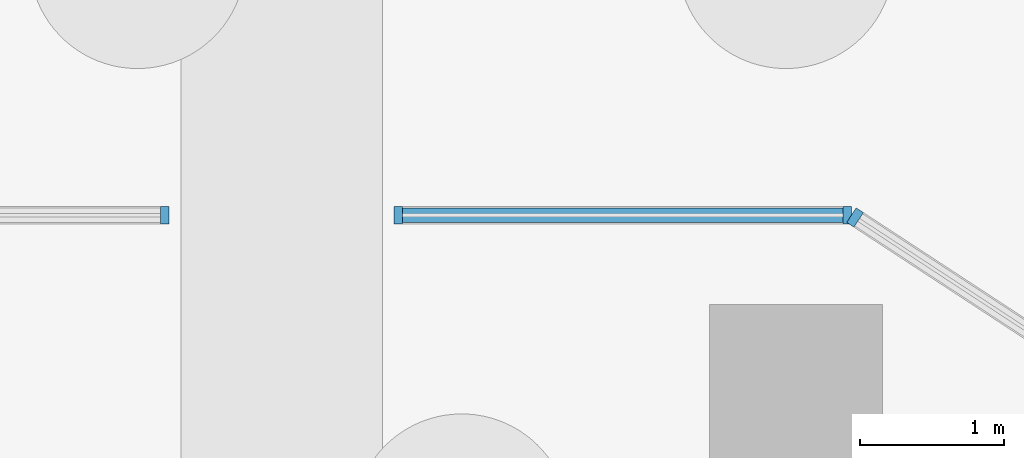
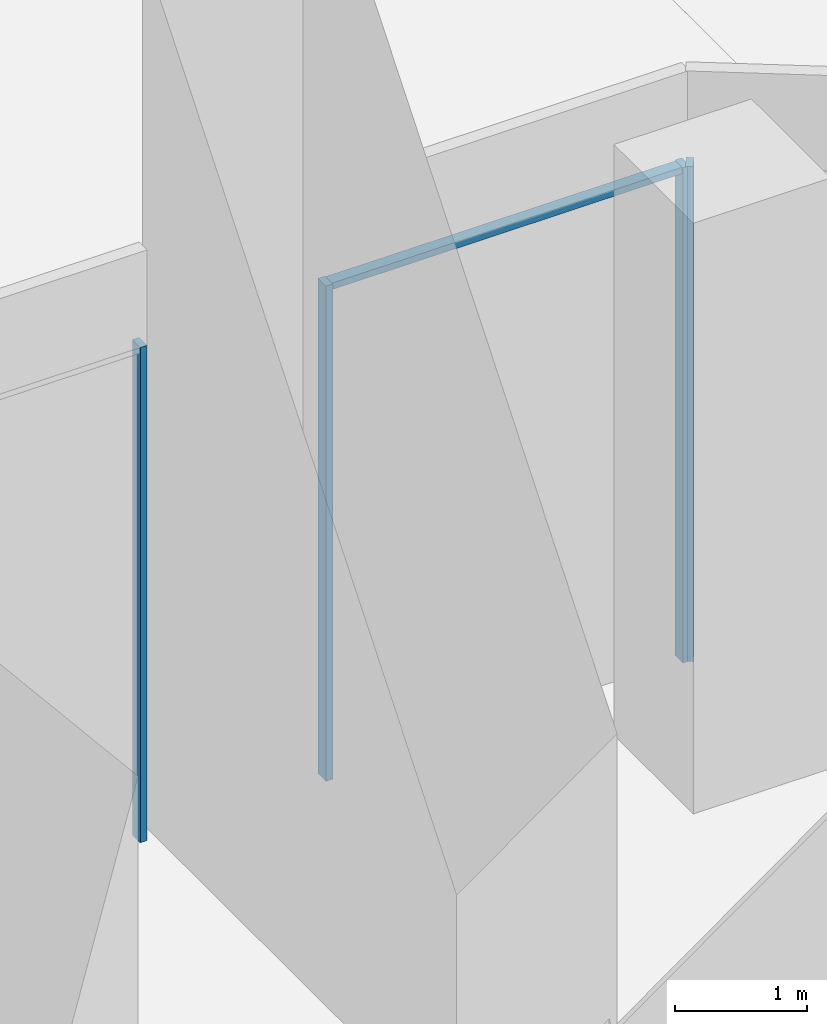
# One storey, part 25 of 46: 5 members, 3 elements without a shape of their own.
"""IFC4 building model written with IfcOpenShell, lengths in metres."""

from ifc_helpers import new_model, si_unit, direction, frame, origin, origin_2d, place, context, subcontext, project, spatial, rectangle, extrude, material, material_profile, profile_set, type_object, element, aggregate, save


model = new_model("IFC4")

# Units and contexts
model_context = context("Model", 3, precision=1e-05, world=origin(), true_north=direction((0.0, 1.0)))
body_context = subcontext(model_context, "Body", "Model", "MODEL_VIEW")
ifc_project = project(units=[si_unit("LENGTHUNIT", "METRE"), si_unit("AREAUNIT", "SQUARE_METRE"), si_unit("VOLUMEUNIT", "CUBIC_METRE"), si_unit("PLANEANGLEUNIT", "RADIAN"), si_unit("MASSUNIT", "GRAM", prefix="KILO")], contexts=[model_context])

# Site, building, storey
site_placement = place(None, origin())
site = spatial("IfcSite", under=ifc_project, at=site_placement, CompositionType="ELEMENT")
building_placement = place(site_placement, origin())
building = spatial("IfcBuilding", under=site, at=building_placement, Name="Mangrove Gate Tower", CompositionType="ELEMENT")
storey_placement = place(building_placement, origin())
storey = spatial("IfcBuildingStorey", under=building, at=storey_placement, Name="L00", CompositionType="ELEMENT", Elevation=0.0)

# Curtain wall, member
ifc_material_1 = material(Name="Aluminium and glass curtain wall", Category="aluminium")
curtain_wall_type = type_object("IfcCurtainWallType", Name="Podium shopfront glazing wall", PredefinedType="NOTDEFINED", material=ifc_material_1)
curtain_wall_1_placement = place(storey_placement, origin())
curtain_wall_1 = element("IfcCurtainWall", 1, at=curtain_wall_1_placement, inside=storey, type_object=curtain_wall_type, Name="Podium shopfront glazing N0s1", PredefinedType="NOTDEFINED")
ifc_material_2 = material(Name="Aluminium alloy 6063-T6", Category="aluminium")
ifc_material_profile_1 = material_profile(ifc_material_2, rectangle(XDim=0.06005859375, YDim=0.1201171875, at=origin_2d()))
ifc_profile_set_1 = profile_set([ifc_material_profile_1], Name="Aluminium alloy 6063-T6")
member_type_1 = type_object("IfcMemberType", Name="Podium shopfront glazing mullion 60x120", PredefinedType="MULLION", material=ifc_profile_set_1)
member_1_placement = place(storey_placement, frame((31.98046875, -25.16650390625, 0.0), z_axis=(0.0, 0.0, 1.0), x_axis=(-0.836658727453, 0.547724541879, 0.0)))
member_1 = element("IfcMember", 2, at=member_1_placement, type_object=member_type_1, Name="CWS mullion 2", PredefinedType="MULLION", context=body_context, shape_type="SweptSolid", body=[
    extrude(rectangle(XDim=0.06005859375, YDim=0.1201171875, at=origin_2d()), origin(), (0.0, 0.0, 1.0), 4.570068359375),
])
aggregate(curtain_wall_1, [member_1])

# Curtain wall, members
curtain_wall_2_placement = place(storey_placement, origin())
curtain_wall_2 = element("IfcCurtainWall", 3, at=curtain_wall_2_placement, inside=storey, type_object=curtain_wall_type, Name="Podium shopfront glazing N1s1", PredefinedType="NOTDEFINED")
member_2_placement = place(storey_placement, frame((31.92529296875, -25.14990234375, 0.0), z_axis=(0.0, 0.0, 1.0), x_axis=(-1.0, 0.0, 0.0)))
member_2 = element("IfcMember", 4, at=member_2_placement, type_object=member_type_1, Name="CWS mullion 1", PredefinedType="MULLION", context=body_context, shape_type="SweptSolid", body=[
    extrude(rectangle(XDim=0.06005859375, YDim=0.1201171875, at=origin_2d()), origin(), (0.0, 0.0, 1.0), 4.570068359375),
])
member_3_placement = place(storey_placement, frame((28.81005859375, -25.14990234375, 0.0), z_axis=(0.0, 0.0, 1.0), x_axis=(-1.0, 0.0, 0.0)))
member_3 = element("IfcMember", 5, at=member_3_placement, type_object=member_type_1, Name="CWS mullion 2", PredefinedType="MULLION", context=body_context, shape_type="SweptSolid", body=[
    extrude(rectangle(XDim=0.06005859375, YDim=0.1201171875, at=origin_2d()), origin(), (0.0, 0.0, 1.0), 4.570068359375),
])

# Curtain wall, member
curtain_wall_3_placement = place(storey_placement, origin())
curtain_wall_3 = element("IfcCurtainWall", 6, at=curtain_wall_3_placement, inside=storey, type_object=curtain_wall_type, Name="Podium shopfront glazing N4011s1", PredefinedType="NOTDEFINED")
member_4_placement = place(storey_placement, frame((27.18994140625, -25.14990234375, 0.0), z_axis=(0.0, 0.0, 1.0), x_axis=(-1.0, 0.0, 0.0)))
member_4 = element("IfcMember", 7, at=member_4_placement, type_object=member_type_1, Name="CWS mullion 1", PredefinedType="MULLION", context=body_context, shape_type="SweptSolid", body=[
    extrude(rectangle(XDim=0.06005859375, YDim=0.1201171875, at=origin_2d()), origin(), (0.0, 0.0, 1.0), 4.570068359375),
])
aggregate(curtain_wall_3, [member_4])

# Member
ifc_material_3 = material(Name="Aluminium alloy 6063-T6", Category="aluminium")
ifc_material_profile_2 = material_profile(ifc_material_3, rectangle(XDim=0.06005859375, YDim=0.10009765625, at=origin_2d()))
ifc_profile_set_2 = profile_set([ifc_material_profile_2], Name="Aluminium alloy 6063-T6")
member_type_2 = type_object("IfcMemberType", Name="Podium shopfront glazing transom 60x100", PredefinedType="USERDEFINED", material=ifc_profile_set_2)
member_5_placement = place(storey_placement, frame((31.895263671875, -25.14990234375, 4.5400390625), z_axis=(-1.0, 0.0, 0.0), x_axis=(0.0, 0.0, 1.0)))
member_5 = element("IfcMember", 8, at=member_5_placement, type_object=member_type_2, Name="CWS transom 1.2", ObjectType="TRANSOM", PredefinedType="USERDEFINED", context=body_context, shape_type="SweptSolid", body=[
    extrude(rectangle(XDim=0.06005859375, YDim=0.10009765625, at=origin_2d()), origin(), (0.0, 0.0, 1.0), 3.05517578125),
])

aggregate(curtain_wall_2, [member_2, member_3, member_5])

save(model, "model.ifc")
